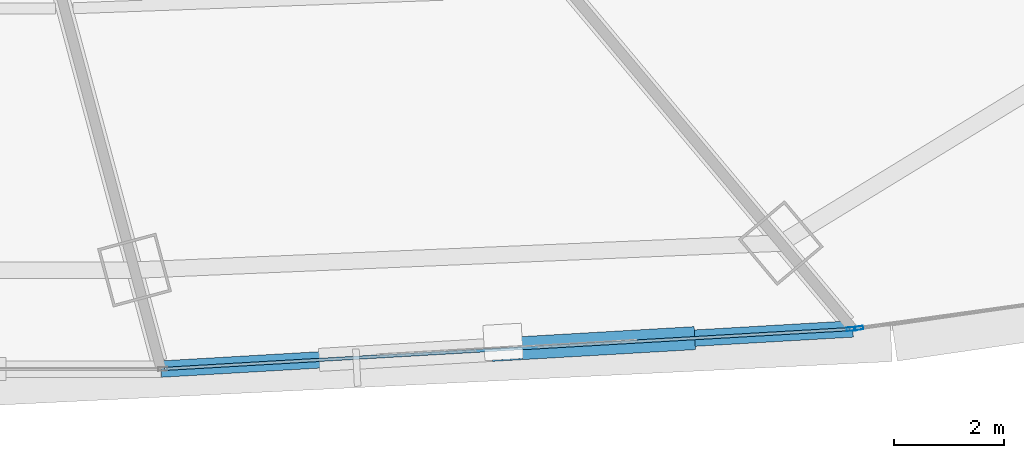
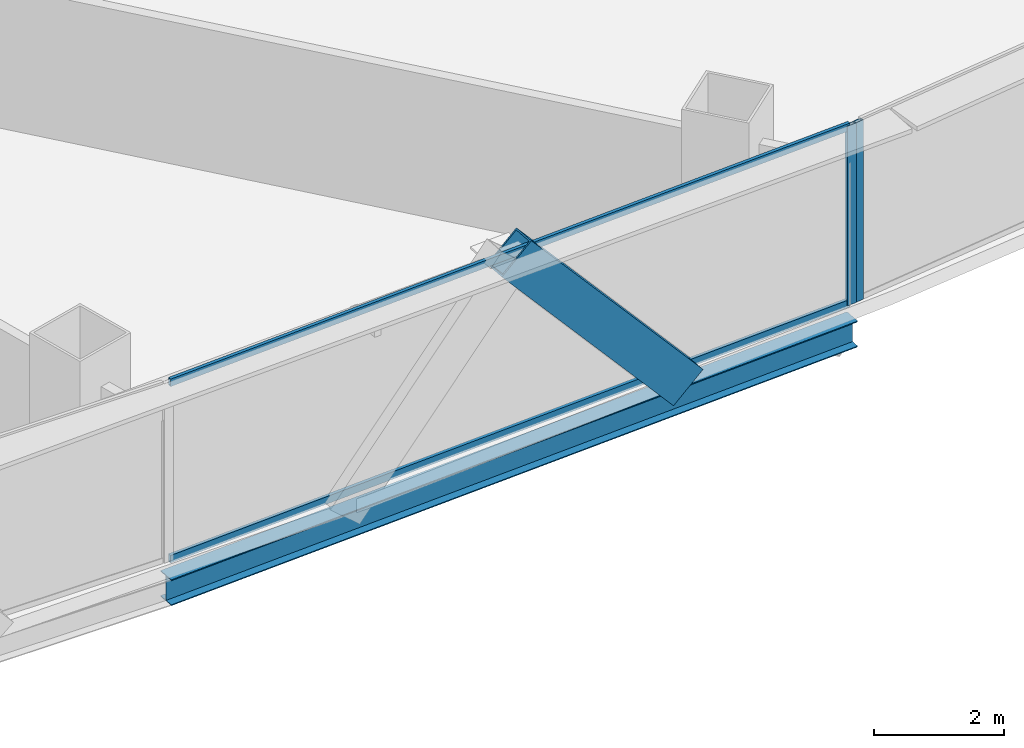
# One storey, part 11 of 38: 5 members, 1 beam, 2 elements without a shape of their own.
"""IFC4 building model written with IfcOpenShell, lengths in metres."""

from ifc_helpers import new_model, si_unit, direction, frame, origin, origin_2d, place, context, subcontext, project, spatial, hollow_rectangle, i_section, extrude, source, transform, mapped, material, layer, layer_set, material_profile, profile_set, type_object, element, aggregate, save


model = new_model("IFC4")

# Units and contexts
model_context = context("Model", 3, precision=1e-05, world=origin(), true_north=direction((0.0, 1.0)))
body_context = subcontext(model_context, "Body", "Model", "MODEL_VIEW")
ifc_project = project(units=[si_unit("LENGTHUNIT", "METRE"), si_unit("AREAUNIT", "SQUARE_METRE"), si_unit("VOLUMEUNIT", "CUBIC_METRE"), si_unit("PLANEANGLEUNIT", "RADIAN"), si_unit("MASSUNIT", "GRAM", prefix="KILO"), si_unit("THERMODYNAMICTEMPERATUREUNIT", "KELVIN"), si_unit("POWERUNIT", "WATT")], contexts=[model_context])

# Site, building, storey
site_placement = place(None, origin())
site = spatial("IfcSite", under=ifc_project, at=site_placement, CompositionType="ELEMENT")
building_placement = place(site_placement, origin())
building = spatial("IfcBuilding", under=site, at=building_placement, Name="Yunzhuo Pagoda Commons", CompositionType="ELEMENT")
storey_placement = place(building_placement, frame((0.0, 0.0, 37.659912109375)))
storey = spatial("IfcBuildingStorey", under=building, at=storey_placement, Name="L09", CompositionType="ELEMENT", Elevation=37.659912109375)

# Beam
ifc_material_1 = material(Name="Structural steel Q355B", Category="steel")
ifc_material_profile_1 = material_profile(ifc_material_1, i_section(OverallWidth=0.300048828125, OverallDepth=0.488037109375, WebThickness=0.010986328125, FlangeThickness=0.01806640625, at=origin_2d()), Name="Structural steel Q355B")
ifc_profile_set_1 = profile_set([ifc_material_profile_1], Name="Structural steel Q355B")
beam_type = type_object("IfcBeamType", Name="B-SP1 Beam HM 488x300x11x18", PredefinedType="BEAM", material=ifc_profile_set_1)
shared_shape_1 = source(origin(), body_context, "Body", "SweptSolid", [
    extrude(i_section(OverallWidth=0.300048828125, OverallDepth=0.488037109375, WebThickness=0.010986328125, FlangeThickness=0.01806640625, at=origin_2d()), origin(), (0.0, 0.0, 1.0), 12.630615234375),
])
beam_placement = place(storey_placement, frame((54.20361328125, 10.548095703125, -0.50390625), z_axis=(0.998321766978, 0.05791070349, 0.0), x_axis=(-0.05791070349, 0.998321766978, 0.0)))
element("IfcBeam", 1, at=beam_placement, inside=storey, type_object=beam_type, Name="L09 facade edge spandrel beam F1.3", PredefinedType="BEAM", context=body_context, shape_type="MappedRepresentation", body=[
    mapped(shared_shape_1, transform((0.0, 0.0, 0.0), scale=1.0)),
])

# Member
ifc_material_2 = material(Name="Structural steel Q420B", Category="steel")
ifc_material_profile_2 = material_profile(ifc_material_2, hollow_rectangle(XDim=0.419921875, YDim=0.719970703125, WallThickness=0.028076171875, at=origin_2d()), Name="Structural steel Q420B")
ifc_profile_set_2 = profile_set([ifc_material_profile_2], Name="Structural steel Q420B")
member_type_1 = type_object("IfcMemberType", Name="M-DL1 Brace BOX 720x420x28", PredefinedType="BRACE", material=ifc_profile_set_2)
shared_shape_2 = source(origin(), body_context, "Body", "SweptSolid", [
    extrude(hollow_rectangle(XDim=0.419921875, YDim=0.719970703125, WallThickness=0.028076171875, at=origin_2d()), origin(), (0.0, 0.0, 1.0), 4.8115234375),
])
member_1_placement = place(storey_placement, frame((63.660888671875, 11.0966796875, -0.260009765625), z_axis=(-0.655225883829, -0.038005435374, 0.754476393297), x_axis=(0.057906233846, -0.998322026243, 0.0)))
element("IfcMember", 2, at=member_1_placement, inside=storey, type_object=member_type_1, Name="L09 facade diamond brace F1.3R", PredefinedType="BRACE", context=body_context, shape_type="MappedRepresentation", body=[
    mapped(shared_shape_2, transform((0.0, 0.0, 0.0), scale=1.0)),
])

# Curtain wall, members
ifc_material_3 = material(Name="Anodized aluminium 6063-T6", Category="aluminium")
ifc_layer = layer(ifc_material_3, 0.1650390625)
ifc_layer_set = layer_set([ifc_layer], Name="Anodized aluminium 6063-T6")
curtain_wall_type = type_object("IfcCurtainWallType", Name="CW-LOW Low-Zone Ribbon Curtain Wall", PredefinedType="NOTDEFINED", material=ifc_layer_set)
curtain_wall_1_placement = place(storey_placement, origin())
curtain_wall_1 = element("IfcCurtainWall", 3, at=curtain_wall_1_placement, inside=storey, type_object=curtain_wall_type, Name="L09 curtain wall CW-L09-F1B4", PredefinedType="NOTDEFINED")
ifc_material_profile_3 = material_profile(ifc_material_3, hollow_rectangle(XDim=0.06005859375, YDim=0.139892578125, WallThickness=0.00341796875, at=origin_2d()), Name="Anodized aluminium 6063-T6")
ifc_profile_set_3 = profile_set([ifc_material_profile_3], Name="Anodized aluminium 6063-T6")
member_type_2 = type_object("IfcMemberType", Name="CW-LOW-T Transom RHS 140x60x3.5", PredefinedType="USERDEFINED", material=ifc_profile_set_3)
shared_shape_3 = source(origin(), body_context, "Body", "SweptSolid", [
    extrude(hollow_rectangle(XDim=0.06005859375, YDim=0.139892578125, WallThickness=0.00341796875, at=origin_2d()), origin(), (0.0, 0.0, 1.0), 12.50048828125),
])
member_2_placement = place(storey_placement, frame((54.2685546875, 10.552001953125, 0.030029296875), z_axis=(0.998323053617, 0.057888518877, 0.0), x_axis=(-0.057888518877, 0.998323053617, 0.0)))
member_2 = element("IfcMember", 4, at=member_2_placement, type_object=member_type_2, Name="CW transom 1.1", ObjectType="TRANSOM", PredefinedType="USERDEFINED", context=body_context, shape_type="MappedRepresentation", body=[
    mapped(shared_shape_3, transform((0.0, 0.0, 0.0), scale=1.0)),
])
member_3_placement = place(storey_placement, frame((54.2685546875, 10.552001953125, 3.340087890625), z_axis=(0.998323053617, 0.057888518877, 0.0), x_axis=(-0.057888518877, 0.998323053617, 0.0)))
member_3 = element("IfcMember", 5, at=member_3_placement, type_object=member_type_2, Name="CW transom 1.2", ObjectType="TRANSOM", PredefinedType="USERDEFINED", context=body_context, shape_type="MappedRepresentation", body=[
    mapped(shared_shape_3, transform((0.0, 0.0, 0.0), scale=1.0)),
])
ifc_material_profile_4 = material_profile(ifc_material_3, hollow_rectangle(XDim=0.06494140625, YDim=0.1650390625, WallThickness=0.00390625, at=origin_2d()), Name="Anodized aluminium 6063-T6")
ifc_profile_set_4 = profile_set([ifc_material_profile_4], Name="Anodized aluminium 6063-T6")
member_type_3 = type_object("IfcMemberType", Name="CW-LOW-M Mullion RHS 165x65x4", PredefinedType="MULLION", material=ifc_profile_set_4)
shared_shape_4 = source(origin(), body_context, "Body", "SweptSolid", [
    extrude(hollow_rectangle(XDim=0.06494140625, YDim=0.1650390625, WallThickness=0.00390625, at=origin_2d()), origin(), (0.0, 0.0, 1.0), 3.3701171875),
])
member_4_placement = place(storey_placement, frame((66.780517578125, 11.277587890625, 0.0), z_axis=(0.0, 0.0, 1.0), x_axis=(-0.05789866519, 0.998322465223, 0.0)))
member_4 = element("IfcMember", 6, at=member_4_placement, type_object=member_type_3, Name="CW mullion 2", PredefinedType="MULLION", context=body_context, shape_type="MappedRepresentation", body=[
    mapped(shared_shape_4, transform((0.0, 0.0, 0.0), scale=1.0)),
])
aggregate(curtain_wall_1, [member_4, member_2, member_3])

# Curtain wall, member
curtain_wall_2_placement = place(storey_placement, origin())
curtain_wall_2 = element("IfcCurtainWall", 7, at=curtain_wall_2_placement, inside=storey, type_object=curtain_wall_type, Name="L09 curtain wall CW-L09-F1B5", PredefinedType="NOTDEFINED")
member_5_placement = place(storey_placement, frame((66.91943359375, 11.29443359375, 0.0), z_axis=(0.0, 0.0, 1.0), x_axis=(-0.138293641491, 0.99039127052, 0.0)))
member_5 = element("IfcMember", 8, at=member_5_placement, type_object=member_type_3, Name="CW mullion 1", PredefinedType="MULLION", context=body_context, shape_type="MappedRepresentation", body=[
    mapped(shared_shape_4, transform((0.0, 0.0, 0.0), scale=1.0)),
])
aggregate(curtain_wall_2, [member_5])

save(model, "model.ifc")
